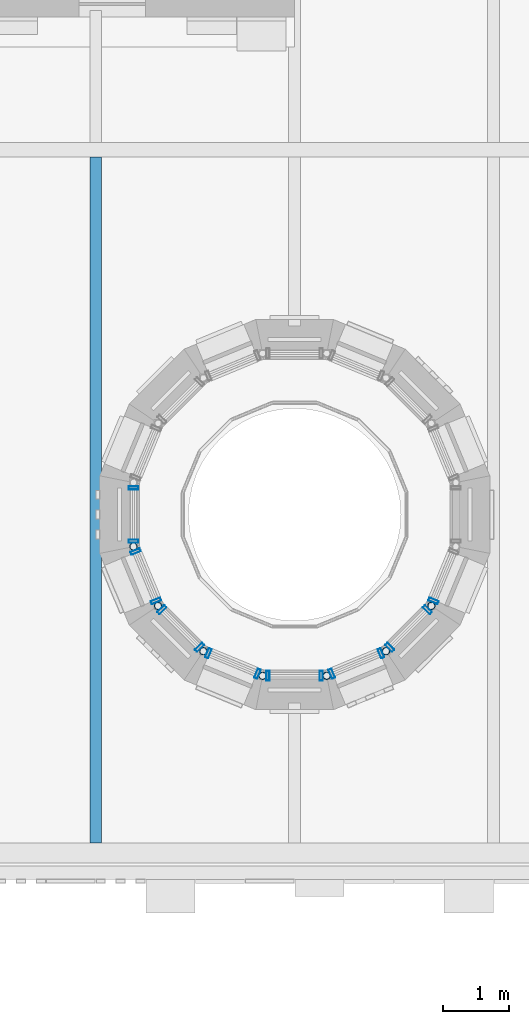
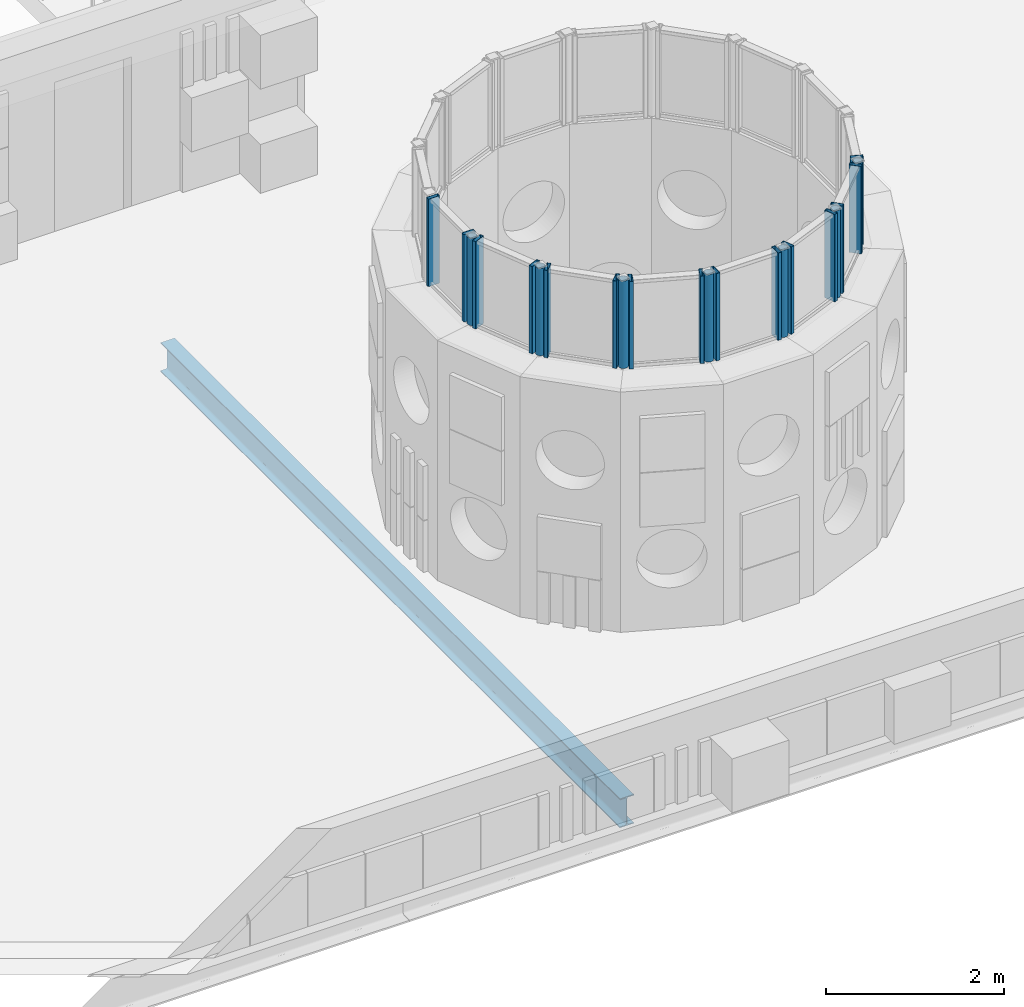
# One storey, part 2 of 98: 23 members, 8 elements without a shape of their own.
"""IFC4 building model written with IfcOpenShell, lengths in metres."""

from ifc_helpers import new_model, si_unit, direction, frame, origin, origin_2d, place, context, subcontext, project, spatial, hollow_rectangle, hollow_circle, i_section, extrude, material, material_profile, profile_set, type_object, element, aggregate, save


model = new_model("IFC4")

# Units and contexts
model_context = context("Model", 3, precision=1e-05, world=origin(), true_north=direction((0.0, 1.0)))
body_context = subcontext(model_context, "Body", "Model", "MODEL_VIEW")
ifc_project = project(units=[si_unit("LENGTHUNIT", "METRE"), si_unit("AREAUNIT", "SQUARE_METRE"), si_unit("VOLUMEUNIT", "CUBIC_METRE"), si_unit("PLANEANGLEUNIT", "RADIAN"), si_unit("MASSUNIT", "GRAM", prefix="KILO")], contexts=[model_context])

# Site, building, storey
site_placement = place(None, origin())
site = spatial("IfcSite", under=ifc_project, at=site_placement, CompositionType="ELEMENT")
building_placement = place(site_placement, origin())
building = spatial("IfcBuilding", under=site, at=building_placement, Name="Sun Court Science Centre", CompositionType="ELEMENT")
storey_placement = place(building_placement, frame((0.0, 0.0, 15.75)))
storey = spatial("IfcBuildingStorey", under=building, at=storey_placement, Name="L03", CompositionType="ELEMENT", Elevation=15.75)

# Curtain wall, members
ifc_material_1 = material(Name="Aluminium EN AW-6063 T6", Category="aluminium")
curtain_wall_type = type_object("IfcCurtainWallType", Name="Lantern clerestory curtain wall 1500", PredefinedType="NOTDEFINED", material=ifc_material_1)
curtain_wall_1_placement = place(storey_placement, origin())
curtain_wall_1 = element("IfcCurtainWall", 1, at=curtain_wall_1_placement, inside=storey, type_object=curtain_wall_type, Name="Curtain wall V2 C3 clerestory L03 08", PredefinedType="NOTDEFINED")
ifc_material_2 = material(Name="Aluminium EN AW-6063 T6", Category="aluminium")
ifc_material_profile_1 = material_profile(ifc_material_2, hollow_rectangle(XDim=0.050048828125, YDim=0.14990234375, WallThickness=0.00390625, InnerFilletRadius=0.00390625, OuterFilletRadius=0.006103515625, at=origin_2d()), Name="AL 50x150x4")
ifc_profile_set_1 = profile_set([ifc_material_profile_1], Name="Aluminium EN AW-6063 T6")
member_type_1 = type_object("IfcMemberType", Name="Curtain wall mullion AL 50x150", PredefinedType="MULLION", material=ifc_profile_set_1)
member_1_placement = place(storey_placement, frame((27.5693359375, 11.0986328125, 3.449951171875), z_axis=(0.0, 0.0, 1.0), x_axis=(0.0, 1.0, 0.0)))
member_1 = element("IfcMember", 2, at=member_1_placement, type_object=member_type_1, Name="CW4-40 mullion 1", PredefinedType="MULLION", context=body_context, shape_type="SweptSolid", body=[
    extrude(hollow_rectangle(XDim=0.050048828125, YDim=0.14990234375, WallThickness=0.00390625, InnerFilletRadius=0.00390625, OuterFilletRadius=0.006103515625, at=origin_2d()), origin(), (0.0, 0.0, 1.0), 1.199951171875),
])
member_2_placement = place(storey_placement, frame((27.5693359375, 11.9013671875, 3.449951171875), z_axis=(0.0, 0.0, 1.0), x_axis=(0.0, 1.0, 0.0)))
member_2 = element("IfcMember", 3, at=member_2_placement, type_object=member_type_1, Name="CW4-40 mullion 2", PredefinedType="MULLION", context=body_context, shape_type="SweptSolid", body=[
    extrude(hollow_rectangle(XDim=0.050048828125, YDim=0.14990234375, WallThickness=0.00390625, InnerFilletRadius=0.00390625, OuterFilletRadius=0.006103515625, at=origin_2d()), origin(), (0.0, 0.0, 1.0), 1.199951171875),
])
aggregate(curtain_wall_1, [member_1, member_2])

curtain_wall_2_placement = place(storey_placement, origin())
curtain_wall_2 = element("IfcCurtainWall", 4, at=curtain_wall_2_placement, inside=storey, type_object=curtain_wall_type, Name="Curtain wall V2 C3 clerestory L03 09", PredefinedType="NOTDEFINED")
member_3_placement = place(storey_placement, frame((27.907958984375, 10.198974609375, 3.449951171875), z_axis=(0.0, 0.0, 1.0), x_axis=(-0.382683432365, 0.923879532511, 0.0)))
member_3 = element("IfcMember", 5, at=member_3_placement, type_object=member_type_1, Name="CW4-41 mullion 1", PredefinedType="MULLION", context=body_context, shape_type="SweptSolid", body=[
    extrude(hollow_rectangle(XDim=0.050048828125, YDim=0.14990234375, WallThickness=0.00390625, InnerFilletRadius=0.00390625, OuterFilletRadius=0.006103515625, at=origin_2d()), origin(), (0.0, 0.0, 1.0), 1.199951171875),
])
member_4_placement = place(storey_placement, frame((27.600830078125, 10.940673828125, 3.449951171875), z_axis=(0.0, 0.0, 1.0), x_axis=(-0.382683432365, 0.923879532511, 0.0)))
member_4 = element("IfcMember", 6, at=member_4_placement, type_object=member_type_1, Name="CW4-41 mullion 2", PredefinedType="MULLION", context=body_context, shape_type="SweptSolid", body=[
    extrude(hollow_rectangle(XDim=0.050048828125, YDim=0.14990234375, WallThickness=0.00390625, InnerFilletRadius=0.00390625, OuterFilletRadius=0.006103515625, at=origin_2d()), origin(), (0.0, 0.0, 1.0), 1.199951171875),
])
aggregate(curtain_wall_2, [member_3, member_4])

curtain_wall_3_placement = place(storey_placement, origin())
curtain_wall_3 = element("IfcCurtainWall", 7, at=curtain_wall_3_placement, inside=storey, type_object=curtain_wall_type, Name="Curtain wall V2 C3 clerestory L03 10", PredefinedType="NOTDEFINED")
member_5_placement = place(storey_placement, frame((27.99755859375, 10.065185546875, 3.449951171875), z_axis=(0.0, 0.0, 1.0), x_axis=(-0.707106781187, 0.707106781187, 0.0)))
member_5 = element("IfcMember", 8, at=member_5_placement, type_object=member_type_1, Name="CW4-42 mullion 2", PredefinedType="MULLION", context=body_context, shape_type="SweptSolid", body=[
    extrude(hollow_rectangle(XDim=0.050048828125, YDim=0.14990234375, WallThickness=0.00390625, InnerFilletRadius=0.00390625, OuterFilletRadius=0.006103515625, at=origin_2d()), origin(), (0.0, 0.0, 1.0), 1.199951171875),
])
member_6_placement = place(storey_placement, frame((28.565185546875, 9.49755859375, 3.449951171875), z_axis=(0.0, 0.0, 1.0), x_axis=(-0.707106781187, 0.707106781187, 0.0)))
member_6 = element("IfcMember", 9, at=member_6_placement, type_object=member_type_1, Name="CW4-42 mullion 1", PredefinedType="MULLION", context=body_context, shape_type="SweptSolid", body=[
    extrude(hollow_rectangle(XDim=0.050048828125, YDim=0.14990234375, WallThickness=0.00390625, InnerFilletRadius=0.00390625, OuterFilletRadius=0.006103515625, at=origin_2d()), origin(), (0.0, 0.0, 1.0), 1.199951171875),
])
aggregate(curtain_wall_3, [member_5, member_6])

curtain_wall_4_placement = place(storey_placement, origin())
curtain_wall_4 = element("IfcCurtainWall", 10, at=curtain_wall_4_placement, inside=storey, type_object=curtain_wall_type, Name="Curtain wall V2 C3 clerestory L03 11", PredefinedType="NOTDEFINED")
member_7_placement = place(storey_placement, frame((28.698974609375, 9.407958984375, 3.449951171875), z_axis=(0.0, 0.0, 1.0), x_axis=(-0.923879532511, 0.382683432365, 0.0)))
member_7 = element("IfcMember", 11, at=member_7_placement, type_object=member_type_1, Name="CW4-43 mullion 2", PredefinedType="MULLION", context=body_context, shape_type="SweptSolid", body=[
    extrude(hollow_rectangle(XDim=0.050048828125, YDim=0.14990234375, WallThickness=0.00390625, InnerFilletRadius=0.00390625, OuterFilletRadius=0.006103515625, at=origin_2d()), origin(), (0.0, 0.0, 1.0), 1.199951171875),
])
member_8_placement = place(storey_placement, frame((29.440673828125, 9.100830078125, 3.449951171875), z_axis=(0.0, 0.0, 1.0), x_axis=(-0.923879532511, 0.382683432365, 0.0)))
member_8 = element("IfcMember", 12, at=member_8_placement, type_object=member_type_1, Name="CW4-43 mullion 1", PredefinedType="MULLION", context=body_context, shape_type="SweptSolid", body=[
    extrude(hollow_rectangle(XDim=0.050048828125, YDim=0.14990234375, WallThickness=0.00390625, InnerFilletRadius=0.00390625, OuterFilletRadius=0.006103515625, at=origin_2d()), origin(), (0.0, 0.0, 1.0), 1.199951171875),
])
aggregate(curtain_wall_4, [member_7, member_8])

curtain_wall_5_placement = place(storey_placement, origin())
curtain_wall_5 = element("IfcCurtainWall", 13, at=curtain_wall_5_placement, inside=storey, type_object=curtain_wall_type, Name="Curtain wall V2 C3 clerestory L03 12", PredefinedType="NOTDEFINED")
member_9_placement = place(storey_placement, frame((29.5986328125, 9.0693359375, 3.449951171875), z_axis=(0.0, 0.0, 1.0), x_axis=(-1.0, 0.0, 0.0)))
member_9 = element("IfcMember", 14, at=member_9_placement, type_object=member_type_1, Name="CW4-44 mullion 2", PredefinedType="MULLION", context=body_context, shape_type="SweptSolid", body=[
    extrude(hollow_rectangle(XDim=0.050048828125, YDim=0.14990234375, WallThickness=0.00390625, InnerFilletRadius=0.00390625, OuterFilletRadius=0.006103515625, at=origin_2d()), origin(), (0.0, 0.0, 1.0), 1.199951171875),
])
member_10_placement = place(storey_placement, frame((30.4013671875, 9.0693359375, 3.449951171875), z_axis=(0.0, 0.0, 1.0), x_axis=(-1.0, 0.0, 0.0)))
member_10 = element("IfcMember", 15, at=member_10_placement, type_object=member_type_1, Name="CW4-44 mullion 1", PredefinedType="MULLION", context=body_context, shape_type="SweptSolid", body=[
    extrude(hollow_rectangle(XDim=0.050048828125, YDim=0.14990234375, WallThickness=0.00390625, InnerFilletRadius=0.00390625, OuterFilletRadius=0.006103515625, at=origin_2d()), origin(), (0.0, 0.0, 1.0), 1.199951171875),
])
aggregate(curtain_wall_5, [member_9, member_10])

curtain_wall_6_placement = place(storey_placement, origin())
curtain_wall_6 = element("IfcCurtainWall", 16, at=curtain_wall_6_placement, inside=storey, type_object=curtain_wall_type, Name="Curtain wall V2 C3 clerestory L03 13", PredefinedType="NOTDEFINED")
member_11_placement = place(storey_placement, frame((30.559326171875, 9.100830078125, 3.449951171875), z_axis=(0.0, 0.0, 1.0), x_axis=(-0.923879532511, -0.382683432365, 0.0)))
member_11 = element("IfcMember", 17, at=member_11_placement, type_object=member_type_1, Name="CW4-45 mullion 2", PredefinedType="MULLION", context=body_context, shape_type="SweptSolid", body=[
    extrude(hollow_rectangle(XDim=0.050048828125, YDim=0.14990234375, WallThickness=0.00390625, InnerFilletRadius=0.00390625, OuterFilletRadius=0.006103515625, at=origin_2d()), origin(), (0.0, 0.0, 1.0), 1.199951171875),
])
member_12_placement = place(storey_placement, frame((31.301025390625, 9.407958984375, 3.449951171875), z_axis=(0.0, 0.0, 1.0), x_axis=(-0.923879532511, -0.382683432365, 0.0)))
member_12 = element("IfcMember", 18, at=member_12_placement, type_object=member_type_1, Name="CW4-45 mullion 1", PredefinedType="MULLION", context=body_context, shape_type="SweptSolid", body=[
    extrude(hollow_rectangle(XDim=0.050048828125, YDim=0.14990234375, WallThickness=0.00390625, InnerFilletRadius=0.00390625, OuterFilletRadius=0.006103515625, at=origin_2d()), origin(), (0.0, 0.0, 1.0), 1.199951171875),
])
aggregate(curtain_wall_6, [member_11, member_12])

curtain_wall_7_placement = place(storey_placement, origin())
curtain_wall_7 = element("IfcCurtainWall", 19, at=curtain_wall_7_placement, inside=storey, type_object=curtain_wall_type, Name="Curtain wall V2 C3 clerestory L03 14", PredefinedType="NOTDEFINED")
member_13_placement = place(storey_placement, frame((31.434814453125, 9.49755859375, 3.449951171875), z_axis=(0.0, 0.0, 1.0), x_axis=(-0.707106781187, -0.707106781187, 0.0)))
member_13 = element("IfcMember", 20, at=member_13_placement, type_object=member_type_1, Name="CW4-46 mullion 2", PredefinedType="MULLION", context=body_context, shape_type="SweptSolid", body=[
    extrude(hollow_rectangle(XDim=0.050048828125, YDim=0.14990234375, WallThickness=0.00390625, InnerFilletRadius=0.00390625, OuterFilletRadius=0.006103515625, at=origin_2d()), origin(), (0.0, 0.0, 1.0), 1.199951171875),
])
member_14_placement = place(storey_placement, frame((32.00244140625, 10.065185546875, 3.449951171875), z_axis=(0.0, 0.0, 1.0), x_axis=(-0.707106781187, -0.707106781187, 0.0)))
member_14 = element("IfcMember", 21, at=member_14_placement, type_object=member_type_1, Name="CW4-46 mullion 1", PredefinedType="MULLION", context=body_context, shape_type="SweptSolid", body=[
    extrude(hollow_rectangle(XDim=0.050048828125, YDim=0.14990234375, WallThickness=0.00390625, InnerFilletRadius=0.00390625, OuterFilletRadius=0.006103515625, at=origin_2d()), origin(), (0.0, 0.0, 1.0), 1.199951171875),
])
aggregate(curtain_wall_7, [member_13, member_14])

# Curtain wall, member
curtain_wall_8_placement = place(storey_placement, origin())
curtain_wall_8 = element("IfcCurtainWall", 22, at=curtain_wall_8_placement, inside=storey, type_object=curtain_wall_type, Name="Curtain wall V2 C3 clerestory L03 15", PredefinedType="NOTDEFINED")
member_15_placement = place(storey_placement, frame((32.092041015625, 10.198974609375, 3.449951171875), z_axis=(0.0, 0.0, 1.0), x_axis=(-0.382683432365, -0.923879532511, 0.0)))
member_15 = element("IfcMember", 23, at=member_15_placement, type_object=member_type_1, Name="CW4-47 mullion 2", PredefinedType="MULLION", context=body_context, shape_type="SweptSolid", body=[
    extrude(hollow_rectangle(XDim=0.050048828125, YDim=0.14990234375, WallThickness=0.00390625, InnerFilletRadius=0.00390625, OuterFilletRadius=0.006103515625, at=origin_2d()), origin(), (0.0, 0.0, 1.0), 1.199951171875),
])
aggregate(curtain_wall_8, [member_15])

# Members
ifc_material_3 = material(Name="Steel S355", Category="steel")
ifc_material_profile_2 = material_profile(ifc_material_3, hollow_circle(Radius=0.05712890625, WallThickness=0.00634765625, at=origin_2d()), Name="CHS 114.3x6.3")
ifc_profile_set_2 = profile_set([ifc_material_profile_2], Name="Steel S355")
member_type_2 = type_object("IfcMemberType", Name="Lantern post CHS 114.3x6.3", PredefinedType="POST", material=ifc_profile_set_2)
for number, where, z_axis, x_axis, name in (
    (24, (27.5693359375, 11.0166015625, 3.449951171875), (0.0, 0.0, 1.0), (1.0, 0.0, 0.0), "Cone 3 clerestory post 9"),
    (25, (27.939453125, 10.123046875, 3.449951171875), (0.0, 0.0, 1.0), (1.0, 0.0, 0.0), "Cone 3 clerestory post 10"),
    (26, (28.623046875, 9.439453125, 3.449951171875), (0.0, 0.0, 1.0), (1.0, 0.0, 0.0), "Cone 3 clerestory post 11"),
    (27, (29.5166015625, 9.0693359375, 3.449951171875), (0.0, 0.0, 1.0), (1.0, 0.0, 0.0), "Cone 3 clerestory post 12"),
    (28, (30.4833984375, 9.0693359375, 3.449951171875), (0.0, 0.0, 1.0), (1.0, 0.0, 0.0), "Cone 3 clerestory post 13"),
    (29, (31.376953125, 9.439453125, 3.449951171875), (0.0, 0.0, 1.0), (1.0, 0.0, 0.0), "Cone 3 clerestory post 14"),
    (30, (32.060546875, 10.123046875, 3.449951171875), (0.0, 0.0, 1.0), (1.0, 0.0, 0.0), "Cone 3 clerestory post 15"),
):
    element("IfcMember", number, at=place(storey_placement, frame(where, z_axis=z_axis, x_axis=x_axis)), inside=storey, type_object=member_type_2, Name=name, PredefinedType="POST", context=body_context, shape_type="SweptSolid", body=[
        extrude(hollow_circle(Radius=0.05712890625, WallThickness=0.00634765625, at=origin_2d()), origin(), (0.0, 0.0, 1.0), 1.199951171875),
    ])
ifc_material_4 = material(Name="Steel S275", Category="steel")
ifc_material_profile_3 = material_profile(ifc_material_4, i_section(OverallWidth=0.179931640625, OverallDepth=0.39990234375, WebThickness=0.008544921875, FlangeThickness=0.013427734375, FilletRadius=0.02099609375, at=origin_2d()), Name="IPE 400")
ifc_profile_set_3 = profile_set([ifc_material_profile_3], Name="Steel S275")
member_type_3 = type_object("IfcMemberType", Name="Roof purlin IPE 400", PredefinedType="PURLIN", material=ifc_profile_set_3)
member_16_placement = place(storey_placement, frame((27.0, 6.550048828125, -0.35009765625), z_axis=(0.0, 1.0, 0.0), x_axis=(-1.0, 0.0, 0.0)))
element("IfcMember", 31, at=member_16_placement, inside=storey, type_object=member_type_3, Name="Roof purlin", PredefinedType="PURLIN", context=body_context, shape_type="SweptSolid", body=[
    extrude(i_section(OverallWidth=0.179931640625, OverallDepth=0.39990234375, WebThickness=0.008544921875, FlangeThickness=0.013427734375, FilletRadius=0.02099609375, at=origin_2d()), origin(), (0.0, 0.0, 1.0), 10.33984375),
])

save(model, "model.ifc")
